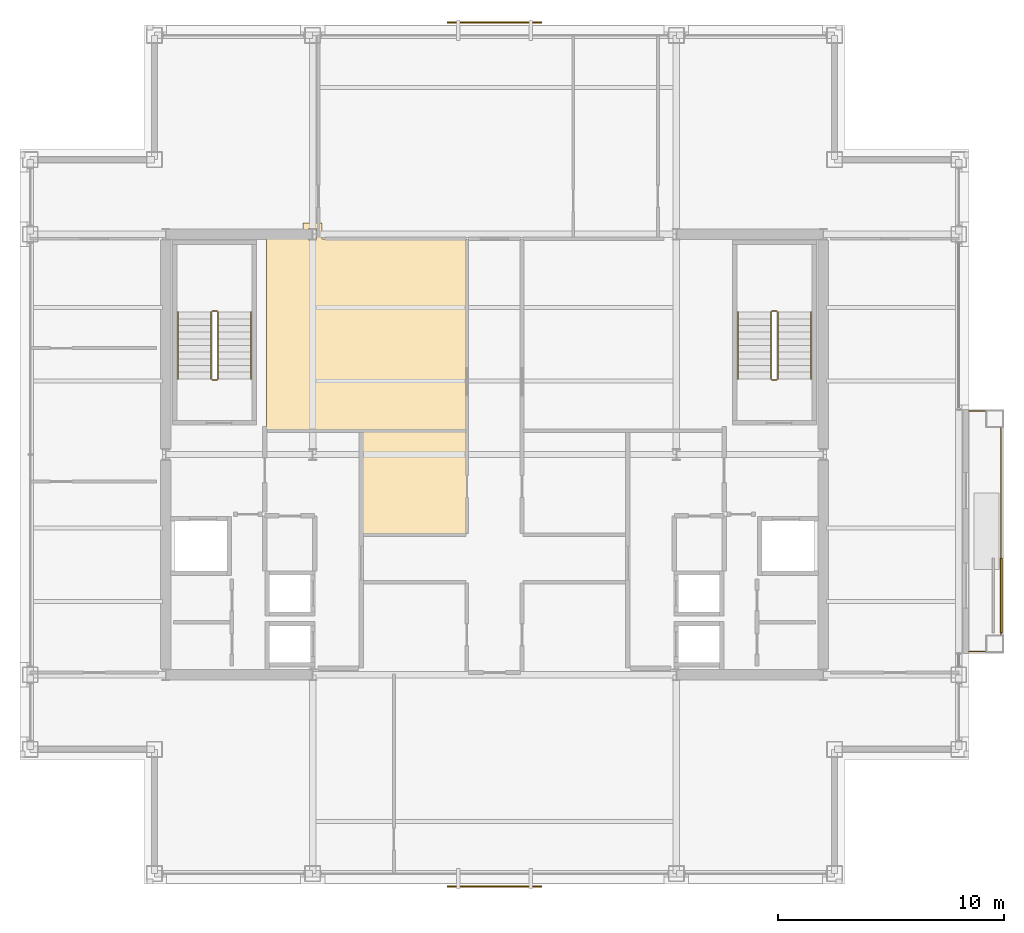
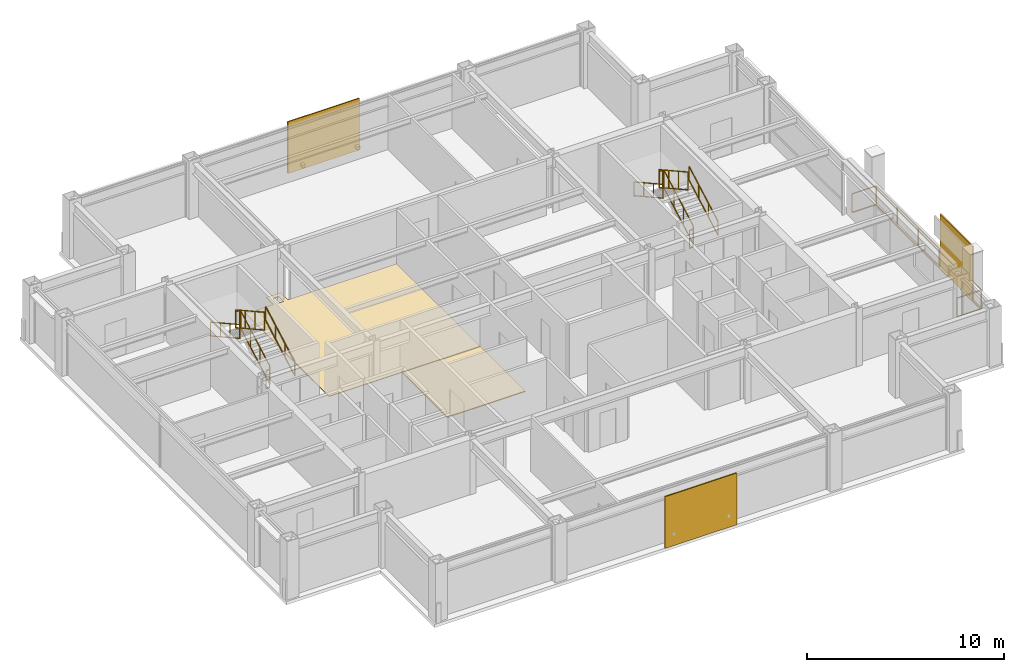
# One storey, part 29 of 30: 13 railings, 3 shading devices, 2 coverings.
"""IFC4 building model written with IfcOpenShell, lengths in metres."""

from ifc_helpers import new_model, si_unit, direction, frame, origin, origin_2d, place, context, subcontext, project, spatial, polyline, rectangle, outline, extrude, material, layer, layer_set, type_object, element, save


model = new_model("IFC4")

# Units and contexts
model_context = context("Model", 3, precision=1e-05, world=origin(), true_north=direction((0.0, 1.0)))
body_context = subcontext(model_context, "Body", "Model", "MODEL_VIEW")
ifc_project = project(units=[si_unit("LENGTHUNIT", "METRE"), si_unit("AREAUNIT", "SQUARE_METRE"), si_unit("VOLUMEUNIT", "CUBIC_METRE"), si_unit("PLANEANGLEUNIT", "RADIAN"), si_unit("MASSUNIT", "GRAM", prefix="KILO")], contexts=[model_context])

# Site, building, storey
site_placement = place(None, origin())
site = spatial("IfcSite", under=ifc_project, at=site_placement, CompositionType="ELEMENT")
building_placement = place(site_placement, origin())
building = spatial("IfcBuilding", under=site, at=building_placement, Name="Brelmoor Portico Tower", CompositionType="ELEMENT")
storey_placement = place(building_placement, frame((0.0, 0.0, 187.5)))
storey = spatial("IfcBuildingStorey", under=building, at=storey_placement, Name="L49", CompositionType="ELEMENT", Elevation=187.5)

# Coverings
ifc_material_1 = material(Name="Calcium-Sulphate Raised Access Floor Panel", Category="steel")
ifc_layer_1 = layer(ifc_material_1, 0.06005859375)
ifc_layer_set_1 = layer_set([ifc_layer_1], Name="Calcium-Sulphate Raised Access Floor Panel")
covering_type_1 = type_object("IfcCoveringType", Name="CV-FLR-ACCESS-60", PredefinedType="FLOORING", material=ifc_layer_set_1)
covering_1_placement = place(storey_placement, origin())
element("IfcCovering", 1, at=covering_1_placement, inside=storey, type_object=covering_type_1, Name="L49 Architectural Floor Finish 02", PredefinedType="FLOORING", context=body_context, shape_type="SweptSolid", body=[
    extrude(outline(polyline([(-5.820068359375, -3.510009765625), (-5.820068359375, 1.0400390625), (-1.239990234375, 1.0400390625), (-1.239990234375, -3.510009765625), (-5.820068359375, -3.510009765625)])), origin(), (0.0, 0.0, 1.0), 0.06005859375),
])
ifc_material_2 = material(Name="Honed Pearl-Grey Granite Paver Finish", Category="masonry")
ifc_layer_2 = layer(ifc_material_2, 0.0380859375)
ifc_layer_set_2 = layer_set([ifc_layer_2], Name="Honed Pearl-Grey Granite Paver Finish")
covering_type_2 = type_object("IfcCoveringType", Name="CV-FLR-GRANITE-38", PredefinedType="FLOORING", material=ifc_layer_set_2)
covering_2_placement = place(storey_placement, origin())
element("IfcCovering", 2, at=covering_2_placement, inside=storey, type_object=covering_type_2, Name="L49 Architectural Floor Finish 01", PredefinedType="FLOORING", context=body_context, shape_type="SweptSolid", body=[
    extrude(outline(polyline([(-10.080078125, 9.530029296875), (-8.47509765625, 9.530029296875), (-8.47509765625, 10.25), (-7.625, 10.25), (-7.625, 9.530029296875), (-1.239990234375, 9.530029296875), (-1.239990234375, 1.090087890625), (-10.080078125, 1.090087890625), (-10.080078125, 9.530029296875)]), holes=[polyline([(-7.875, 9.5), (-7.875, 10.0), (-8.22509765625, 10.0), (-8.22509765625, 9.5), (-7.875, 9.5)])]), origin(), (0.0, 0.0, 1.0), 0.0380859375),
])

# Railings
ifc_material_3 = material(Name="Perforated Pale Champagne Aluminium Fretwork Guard", Category="aluminium")
railing_type_1 = type_object("IfcRailingType", Name="RL-BALUSTRADE-1200", PredefinedType="BALUSTRADE", material=ifc_material_3)
railing_1_placement = place(storey_placement, frame((21.0, -8.719970703125, 0.0)))
element("IfcRailing", 3, at=railing_1_placement, inside=storey, type_object=railing_type_1, Name="L49 Tree Balcony Fretwork Balustrade E", PredefinedType="BALUSTRADE", context=body_context, shape_type="SweptSolid", body=[
    extrude(rectangle(XDim=0.048095703125, YDim=0.048095703125, at=origin_2d()), frame((0.0, 0.0, 1.17578125), z_axis=(1.0, 0.0, 0.0), x_axis=(0.0, 1.0, 0.0)), (0.0, 0.0, 1.0), 1.429931640625),
    extrude(rectangle(XDim=0.048095703125, YDim=0.048095703125, at=origin_2d()), frame((0.0, 0.0, 0.02392578125), z_axis=(1.0, 0.0, 0.0), x_axis=(0.0, 1.0, 0.0)), (0.0, 0.0, 1.0), 1.429931640625),
    extrude(rectangle(XDim=0.048095703125, YDim=0.048095703125, at=origin_2d()), frame((1.429931640625, 0.0, 1.17578125), z_axis=(0.0, 1.0, 0.0), x_axis=(-1.0, 0.0, 0.0)), (0.0, 0.0, 1.0), 10.639892578125),
    extrude(rectangle(XDim=0.048095703125, YDim=0.048095703125, at=origin_2d()), frame((1.429931640625, 0.0, 0.02392578125), z_axis=(0.0, 1.0, 0.0), x_axis=(-1.0, 0.0, 0.0)), (0.0, 0.0, 1.0), 10.639892578125),
    extrude(rectangle(XDim=0.048095703125, YDim=0.048095703125, at=origin_2d()), frame((1.429931640625, 10.639892578125, 1.17578125), z_axis=(-1.0, 0.0, 0.0), x_axis=(0.0, -1.0, 0.0)), (0.0, 0.0, 1.0), 1.429931640625),
    extrude(rectangle(XDim=0.048095703125, YDim=0.048095703125, at=origin_2d()), frame((1.429931640625, 10.639892578125, 0.02392578125), z_axis=(-1.0, 0.0, 0.0), x_axis=(0.0, -1.0, 0.0)), (0.0, 0.0, 1.0), 1.429931640625),
    extrude(rectangle(XDim=0.0419921875, YDim=0.0419921875, at=origin_2d()), origin(), (0.0, 0.0, 1.0), 1.15185546875),
    extrude(rectangle(XDim=0.0419921875, YDim=0.0419921875, at=origin_2d()), frame((1.429931640625, 0.0, 0.0)), (0.0, 0.0, 1.0), 1.15185546875),
    extrude(rectangle(XDim=0.0419921875, YDim=0.0419921875, at=origin_2d()), frame((1.429931640625, 2.1279296875, 0.0)), (0.0, 0.0, 1.0), 1.15185546875),
    extrude(rectangle(XDim=0.0419921875, YDim=0.0419921875, at=origin_2d()), frame((1.429931640625, 4.255859375, 0.0)), (0.0, 0.0, 1.0), 1.15185546875),
    extrude(rectangle(XDim=0.0419921875, YDim=0.0419921875, at=origin_2d()), frame((1.429931640625, 6.384033203125, 0.0)), (0.0, 0.0, 1.0), 1.15185546875),
    extrude(rectangle(XDim=0.0419921875, YDim=0.0419921875, at=origin_2d()), frame((1.429931640625, 8.511962890625, 0.0)), (0.0, 0.0, 1.0), 1.15185546875),
    extrude(rectangle(XDim=0.0419921875, YDim=0.0419921875, at=origin_2d()), frame((1.429931640625, 10.639892578125, 0.0)), (0.0, 0.0, 1.0), 1.15185546875),
    extrude(rectangle(XDim=0.0419921875, YDim=0.0419921875, at=origin_2d()), frame((0.0, 10.639892578125, 0.0)), (0.0, 0.0, 1.0), 1.15185546875),
])
ifc_material_4 = material(Name="Painted Tubular Steel Q235B", Category="steel")
railing_type_2 = type_object("IfcRailingType", Name="RL-STAIR-GUARD", PredefinedType="GUARDRAIL", material=ifc_material_4)
railing_2_placement = place(storey_placement, frame((-12.239990234375, 3.35009765625, 0.16357421875)))
element("IfcRailing", 4, at=railing_2_placement, inside=storey, type_object=railing_type_2, Name="L49 ST-W stair guard 1", PredefinedType="GUARDRAIL", context=body_context, shape_type="SweptSolid", body=[
    extrude(rectangle(XDim=0.048095703125, YDim=0.048095703125, at=origin_2d()), frame((0.0, 0.0, 1.1259765625), z_axis=(0.0, 0.874457516365, 0.485102104791), x_axis=(-1.0, 0.0, 0.0)), (0.0, 0.0, 1.0), 3.37353515625),
    extrude(rectangle(XDim=0.048095703125, YDim=0.048095703125, at=origin_2d()), frame((0.0, 0.0, 0.02392578125), z_axis=(0.0, 0.874457516365, 0.485102104791), x_axis=(-1.0, 0.0, 0.0)), (0.0, 0.0, 1.0), 3.37353515625),
    extrude(rectangle(XDim=0.0419921875, YDim=0.0419921875, at=origin_2d()), origin(), (0.0, 0.0, 1.0), 1.101806640625),
    extrude(rectangle(XDim=0.0419921875, YDim=0.0419921875, at=origin_2d()), frame((0.0, 0.9833984375, 0.54541015625)), (0.0, 0.0, 1.0), 1.101806640625),
    extrude(rectangle(XDim=0.0419921875, YDim=0.0419921875, at=origin_2d()), frame((0.0, 1.966552734375, 1.091064453125)), (0.0, 0.0, 1.0), 1.101806640625),
    extrude(rectangle(XDim=0.0419921875, YDim=0.0419921875, at=origin_2d()), frame((0.0, 2.949951171875, 1.636474609375)), (0.0, 0.0, 1.0), 1.101806640625),
])
railing_3_placement = place(storey_placement, frame((-12.2900390625, 6.35009765625, 1.800048828125)))
element("IfcRailing", 5, at=railing_3_placement, inside=storey, type_object=railing_type_2, Name="L49 ST-W stair guard 2", PredefinedType="GUARDRAIL", context=body_context, shape_type="SweptSolid", body=[
    extrude(rectangle(XDim=0.048095703125, YDim=0.048095703125, at=origin_2d()), frame((0.0, 0.0, 1.1259765625), z_axis=(-1.0, 0.0, 0.0), x_axis=(0.0, -1.0, 0.0)), (0.0, 0.0, 1.0), 0.199951171875),
    extrude(rectangle(XDim=0.048095703125, YDim=0.048095703125, at=origin_2d()), frame((0.0, 0.0, 0.02392578125), z_axis=(-1.0, 0.0, 0.0), x_axis=(0.0, -1.0, 0.0)), (0.0, 0.0, 1.0), 0.199951171875),
    extrude(rectangle(XDim=0.0419921875, YDim=0.0419921875, at=origin_2d()), origin(), (0.0, 0.0, 1.0), 1.101806640625),
    extrude(rectangle(XDim=0.0419921875, YDim=0.0419921875, at=origin_2d()), frame((-0.199951171875, 0.0, 0.0)), (0.0, 0.0, 1.0), 1.101806640625),
])
railing_4_placement = place(storey_placement, frame((-12.5400390625, 6.300048828125, 1.963623046875)))
element("IfcRailing", 6, at=railing_4_placement, inside=storey, type_object=railing_type_2, Name="L49 ST-W stair guard 3", PredefinedType="GUARDRAIL", context=body_context, shape_type="SweptSolid", body=[
    extrude(rectangle(XDim=0.048095703125, YDim=0.048095703125, at=origin_2d()), frame((0.0, 0.0, 1.1259765625), z_axis=(0.0, -0.874457516365, 0.485102104791), x_axis=(1.0, 0.0, 0.0)), (0.0, 0.0, 1.0), 3.37353515625),
    extrude(rectangle(XDim=0.048095703125, YDim=0.048095703125, at=origin_2d()), frame((0.0, 0.0, 0.02392578125), z_axis=(0.0, -0.874457516365, 0.485102104791), x_axis=(1.0, 0.0, 0.0)), (0.0, 0.0, 1.0), 3.37353515625),
    extrude(rectangle(XDim=0.0419921875, YDim=0.0419921875, at=origin_2d()), origin(), (0.0, 0.0, 1.0), 1.101806640625),
    extrude(rectangle(XDim=0.0419921875, YDim=0.0419921875, at=origin_2d()), frame((0.0, -0.9833984375, 0.54541015625)), (0.0, 0.0, 1.0), 1.101806640625),
    extrude(rectangle(XDim=0.0419921875, YDim=0.0419921875, at=origin_2d()), frame((0.0, -1.966552734375, 1.091064453125)), (0.0, 0.0, 1.0), 1.101806640625),
    extrude(rectangle(XDim=0.0419921875, YDim=0.0419921875, at=origin_2d()), frame((0.0, -2.949951171875, 1.636474609375)), (0.0, 0.0, 1.0), 1.101806640625),
])
railing_5_placement = place(storey_placement, frame((-12.2900390625, 3.300048828125, 0.0)))
element("IfcRailing", 7, at=railing_5_placement, inside=storey, type_object=railing_type_2, Name="L49 ST-W stair guard 4", PredefinedType="GUARDRAIL", context=body_context, shape_type="SweptSolid", body=[
    extrude(rectangle(XDim=0.048095703125, YDim=0.048095703125, at=origin_2d()), frame((0.0, 0.0, 1.1259765625), z_axis=(-1.0, 0.0, 0.0), x_axis=(0.0, -1.0, 0.0)), (0.0, 0.0, 1.0), 0.199951171875),
    extrude(rectangle(XDim=0.048095703125, YDim=0.048095703125, at=origin_2d()), frame((0.0, 0.0, 0.02392578125), z_axis=(-1.0, 0.0, 0.0), x_axis=(0.0, -1.0, 0.0)), (0.0, 0.0, 1.0), 0.199951171875),
    extrude(rectangle(XDim=0.0419921875, YDim=0.0419921875, at=origin_2d()), origin(), (0.0, 0.0, 1.0), 1.101806640625),
    extrude(rectangle(XDim=0.0419921875, YDim=0.0419921875, at=origin_2d()), frame((-0.199951171875, 0.0, 0.0)), (0.0, 0.0, 1.0), 1.101806640625),
])
railing_6_placement = place(storey_placement, frame((12.5400390625, 3.35009765625, 0.16357421875)))
element("IfcRailing", 8, at=railing_6_placement, inside=storey, type_object=railing_type_2, Name="L49 ST-E stair guard 1", PredefinedType="GUARDRAIL", context=body_context, shape_type="SweptSolid", body=[
    extrude(rectangle(XDim=0.048095703125, YDim=0.048095703125, at=origin_2d()), frame((0.0, 0.0, 1.1259765625), z_axis=(0.0, 0.874457516365, 0.485102104791), x_axis=(-1.0, 0.0, 0.0)), (0.0, 0.0, 1.0), 3.37353515625),
    extrude(rectangle(XDim=0.048095703125, YDim=0.048095703125, at=origin_2d()), frame((0.0, 0.0, 0.02392578125), z_axis=(0.0, 0.874457516365, 0.485102104791), x_axis=(-1.0, 0.0, 0.0)), (0.0, 0.0, 1.0), 3.37353515625),
    extrude(rectangle(XDim=0.0419921875, YDim=0.0419921875, at=origin_2d()), origin(), (0.0, 0.0, 1.0), 1.101806640625),
    extrude(rectangle(XDim=0.0419921875, YDim=0.0419921875, at=origin_2d()), frame((0.0, 0.9833984375, 0.54541015625)), (0.0, 0.0, 1.0), 1.101806640625),
    extrude(rectangle(XDim=0.0419921875, YDim=0.0419921875, at=origin_2d()), frame((0.0, 1.966552734375, 1.091064453125)), (0.0, 0.0, 1.0), 1.101806640625),
    extrude(rectangle(XDim=0.0419921875, YDim=0.0419921875, at=origin_2d()), frame((0.0, 2.949951171875, 1.636474609375)), (0.0, 0.0, 1.0), 1.101806640625),
])
railing_7_placement = place(storey_placement, frame((12.489990234375, 6.35009765625, 1.800048828125)))
element("IfcRailing", 9, at=railing_7_placement, inside=storey, type_object=railing_type_2, Name="L49 ST-E stair guard 2", PredefinedType="GUARDRAIL", context=body_context, shape_type="SweptSolid", body=[
    extrude(rectangle(XDim=0.048095703125, YDim=0.048095703125, at=origin_2d()), frame((0.0, 0.0, 1.1259765625), z_axis=(-1.0, 0.0, 0.0), x_axis=(0.0, -1.0, 0.0)), (0.0, 0.0, 1.0), 0.199951171875),
    extrude(rectangle(XDim=0.048095703125, YDim=0.048095703125, at=origin_2d()), frame((0.0, 0.0, 0.02392578125), z_axis=(-1.0, 0.0, 0.0), x_axis=(0.0, -1.0, 0.0)), (0.0, 0.0, 1.0), 0.199951171875),
    extrude(rectangle(XDim=0.0419921875, YDim=0.0419921875, at=origin_2d()), origin(), (0.0, 0.0, 1.0), 1.101806640625),
    extrude(rectangle(XDim=0.0419921875, YDim=0.0419921875, at=origin_2d()), frame((-0.199951171875, 0.0, 0.0)), (0.0, 0.0, 1.0), 1.101806640625),
])
railing_8_placement = place(storey_placement, frame((12.239990234375, 6.300048828125, 1.963623046875)))
element("IfcRailing", 10, at=railing_8_placement, inside=storey, type_object=railing_type_2, Name="L49 ST-E stair guard 3", PredefinedType="GUARDRAIL", context=body_context, shape_type="SweptSolid", body=[
    extrude(rectangle(XDim=0.048095703125, YDim=0.048095703125, at=origin_2d()), frame((0.0, 0.0, 1.1259765625), z_axis=(0.0, -0.874457516365, 0.485102104791), x_axis=(1.0, 0.0, 0.0)), (0.0, 0.0, 1.0), 3.37353515625),
    extrude(rectangle(XDim=0.048095703125, YDim=0.048095703125, at=origin_2d()), frame((0.0, 0.0, 0.02392578125), z_axis=(0.0, -0.874457516365, 0.485102104791), x_axis=(1.0, 0.0, 0.0)), (0.0, 0.0, 1.0), 3.37353515625),
    extrude(rectangle(XDim=0.0419921875, YDim=0.0419921875, at=origin_2d()), origin(), (0.0, 0.0, 1.0), 1.101806640625),
    extrude(rectangle(XDim=0.0419921875, YDim=0.0419921875, at=origin_2d()), frame((0.0, -0.9833984375, 0.54541015625)), (0.0, 0.0, 1.0), 1.101806640625),
    extrude(rectangle(XDim=0.0419921875, YDim=0.0419921875, at=origin_2d()), frame((0.0, -1.966552734375, 1.091064453125)), (0.0, 0.0, 1.0), 1.101806640625),
    extrude(rectangle(XDim=0.0419921875, YDim=0.0419921875, at=origin_2d()), frame((0.0, -2.949951171875, 1.636474609375)), (0.0, 0.0, 1.0), 1.101806640625),
])
railing_9_placement = place(storey_placement, frame((12.489990234375, 3.300048828125, 0.0)))
element("IfcRailing", 11, at=railing_9_placement, inside=storey, type_object=railing_type_2, Name="L49 ST-E stair guard 4", PredefinedType="GUARDRAIL", context=body_context, shape_type="SweptSolid", body=[
    extrude(rectangle(XDim=0.048095703125, YDim=0.048095703125, at=origin_2d()), frame((0.0, 0.0, 1.1259765625), z_axis=(-1.0, 0.0, 0.0), x_axis=(0.0, -1.0, 0.0)), (0.0, 0.0, 1.0), 0.199951171875),
    extrude(rectangle(XDim=0.048095703125, YDim=0.048095703125, at=origin_2d()), frame((0.0, 0.0, 0.02392578125), z_axis=(-1.0, 0.0, 0.0), x_axis=(0.0, -1.0, 0.0)), (0.0, 0.0, 1.0), 0.199951171875),
    extrude(rectangle(XDim=0.0419921875, YDim=0.0419921875, at=origin_2d()), origin(), (0.0, 0.0, 1.0), 1.101806640625),
    extrude(rectangle(XDim=0.0419921875, YDim=0.0419921875, at=origin_2d()), frame((-0.199951171875, 0.0, 0.0)), (0.0, 0.0, 1.0), 1.101806640625),
])
ifc_material_5 = material(Name="Brushed Stainless Steel 304", Category="steel")
railing_type_3 = type_object("IfcRailingType", Name="RL-STAIR-HANDRAIL", PredefinedType="HANDRAIL", material=ifc_material_5)
railing_10_placement = place(storey_placement, frame((-10.780029296875, 3.35009765625, 0.16357421875)))
element("IfcRailing", 12, at=railing_10_placement, inside=storey, type_object=railing_type_3, Name="L49 ST-W stair handrail 1", PredefinedType="HANDRAIL", context=body_context, shape_type="SweptSolid", body=[
    extrude(rectangle(XDim=0.048095703125, YDim=0.048095703125, at=origin_2d()), frame((0.0, 0.0, 0.8759765625), z_axis=(0.0, 0.874457516365, 0.485102104791), x_axis=(-1.0, 0.0, 0.0)), (0.0, 0.0, 1.0), 3.37353515625),
    extrude(rectangle(XDim=0.048095703125, YDim=0.048095703125, at=origin_2d()), frame((0.0, 0.0, 0.02392578125), z_axis=(0.0, 0.874457516365, 0.485102104791), x_axis=(-1.0, 0.0, 0.0)), (0.0, 0.0, 1.0), 3.37353515625),
    extrude(rectangle(XDim=0.0419921875, YDim=0.0419921875, at=origin_2d()), origin(), (0.0, 0.0, 1.0), 0.851806640625),
    extrude(rectangle(XDim=0.0419921875, YDim=0.0419921875, at=origin_2d()), frame((0.0, 0.9833984375, 0.54541015625)), (0.0, 0.0, 1.0), 0.851806640625),
    extrude(rectangle(XDim=0.0419921875, YDim=0.0419921875, at=origin_2d()), frame((0.0, 1.966552734375, 1.091064453125)), (0.0, 0.0, 1.0), 0.851806640625),
    extrude(rectangle(XDim=0.0419921875, YDim=0.0419921875, at=origin_2d()), frame((0.0, 2.949951171875, 1.636474609375)), (0.0, 0.0, 1.0), 0.851806640625),
])
railing_11_placement = place(storey_placement, frame((-14.0, 6.300048828125, 1.963623046875)))
element("IfcRailing", 13, at=railing_11_placement, inside=storey, type_object=railing_type_3, Name="L49 ST-W stair handrail 2", PredefinedType="HANDRAIL", context=body_context, shape_type="SweptSolid", body=[
    extrude(rectangle(XDim=0.048095703125, YDim=0.048095703125, at=origin_2d()), frame((0.0, 0.0, 0.8759765625), z_axis=(0.0, -0.874457516365, 0.485102104791), x_axis=(1.0, 0.0, 0.0)), (0.0, 0.0, 1.0), 3.37353515625),
    extrude(rectangle(XDim=0.048095703125, YDim=0.048095703125, at=origin_2d()), frame((0.0, 0.0, 0.02392578125), z_axis=(0.0, -0.874457516365, 0.485102104791), x_axis=(1.0, 0.0, 0.0)), (0.0, 0.0, 1.0), 3.37353515625),
    extrude(rectangle(XDim=0.0419921875, YDim=0.0419921875, at=origin_2d()), origin(), (0.0, 0.0, 1.0), 0.851806640625),
    extrude(rectangle(XDim=0.0419921875, YDim=0.0419921875, at=origin_2d()), frame((0.0, -0.9833984375, 0.54541015625)), (0.0, 0.0, 1.0), 0.851806640625),
    extrude(rectangle(XDim=0.0419921875, YDim=0.0419921875, at=origin_2d()), frame((0.0, -1.966552734375, 1.091064453125)), (0.0, 0.0, 1.0), 0.851806640625),
    extrude(rectangle(XDim=0.0419921875, YDim=0.0419921875, at=origin_2d()), frame((0.0, -2.949951171875, 1.636474609375)), (0.0, 0.0, 1.0), 0.851806640625),
])
railing_12_placement = place(storey_placement, frame((14.0, 3.35009765625, 0.16357421875)))
element("IfcRailing", 14, at=railing_12_placement, inside=storey, type_object=railing_type_3, Name="L49 ST-E stair handrail 1", PredefinedType="HANDRAIL", context=body_context, shape_type="SweptSolid", body=[
    extrude(rectangle(XDim=0.048095703125, YDim=0.048095703125, at=origin_2d()), frame((0.0, 0.0, 0.8759765625), z_axis=(0.0, 0.874457516365, 0.485102104791), x_axis=(-1.0, 0.0, 0.0)), (0.0, 0.0, 1.0), 3.37353515625),
    extrude(rectangle(XDim=0.048095703125, YDim=0.048095703125, at=origin_2d()), frame((0.0, 0.0, 0.02392578125), z_axis=(0.0, 0.874457516365, 0.485102104791), x_axis=(-1.0, 0.0, 0.0)), (0.0, 0.0, 1.0), 3.37353515625),
    extrude(rectangle(XDim=0.0419921875, YDim=0.0419921875, at=origin_2d()), origin(), (0.0, 0.0, 1.0), 0.851806640625),
    extrude(rectangle(XDim=0.0419921875, YDim=0.0419921875, at=origin_2d()), frame((0.0, 0.9833984375, 0.54541015625)), (0.0, 0.0, 1.0), 0.851806640625),
    extrude(rectangle(XDim=0.0419921875, YDim=0.0419921875, at=origin_2d()), frame((0.0, 1.966552734375, 1.091064453125)), (0.0, 0.0, 1.0), 0.851806640625),
    extrude(rectangle(XDim=0.0419921875, YDim=0.0419921875, at=origin_2d()), frame((0.0, 2.949951171875, 1.636474609375)), (0.0, 0.0, 1.0), 0.851806640625),
])
railing_13_placement = place(storey_placement, frame((10.780029296875, 6.300048828125, 1.963623046875)))
element("IfcRailing", 15, at=railing_13_placement, inside=storey, type_object=railing_type_3, Name="L49 ST-E stair handrail 2", PredefinedType="HANDRAIL", context=body_context, shape_type="SweptSolid", body=[
    extrude(rectangle(XDim=0.048095703125, YDim=0.048095703125, at=origin_2d()), frame((0.0, 0.0, 0.8759765625), z_axis=(0.0, -0.874457516365, 0.485102104791), x_axis=(1.0, 0.0, 0.0)), (0.0, 0.0, 1.0), 3.37353515625),
    extrude(rectangle(XDim=0.048095703125, YDim=0.048095703125, at=origin_2d()), frame((0.0, 0.0, 0.02392578125), z_axis=(0.0, -0.874457516365, 0.485102104791), x_axis=(1.0, 0.0, 0.0)), (0.0, 0.0, 1.0), 3.37353515625),
    extrude(rectangle(XDim=0.0419921875, YDim=0.0419921875, at=origin_2d()), origin(), (0.0, 0.0, 1.0), 0.851806640625),
    extrude(rectangle(XDim=0.0419921875, YDim=0.0419921875, at=origin_2d()), frame((0.0, -0.9833984375, 0.54541015625)), (0.0, 0.0, 1.0), 0.851806640625),
    extrude(rectangle(XDim=0.0419921875, YDim=0.0419921875, at=origin_2d()), frame((0.0, -1.966552734375, 1.091064453125)), (0.0, 0.0, 1.0), 0.851806640625),
    extrude(rectangle(XDim=0.0419921875, YDim=0.0419921875, at=origin_2d()), frame((0.0, -2.949951171875, 1.636474609375)), (0.0, 0.0, 1.0), 0.851806640625),
])

# Shading devices
ifc_material_6 = material(Name="Powder-Coated Aluminium Shuttered Jalousie", Category="aluminium")
ifc_layer_3 = layer(ifc_material_6, 0.080078125)
ifc_layer_set_3 = layer_set([ifc_layer_3], Name="Powder-Coated Aluminium Shuttered Jalousie")
shading_device_type_1 = type_object("IfcShadingDeviceType", Name="SD-JALOUSIE-LOGGIA", PredefinedType="JALOUSIE", material=ifc_layer_set_3)
shading_device_placement = place(storey_placement, frame((22.429931640625, -6.25, 0.0), z_axis=(0.0, 0.0, 1.0), x_axis=(0.0, 1.0, 0.0)))
element("IfcShadingDevice", 16, at=shading_device_placement, inside=storey, type_object=shading_device_type_1, Name="L49 Loggia Shuttered Jalousie E", PredefinedType="JALOUSIE", context=body_context, shape_type="SweptSolid", body=[
    extrude(rectangle(XDim=3.300048828125, YDim=0.080078125, at=origin_2d()), origin(), (0.0, 0.0, 1.0), 3.39990234375),
])
ifc_material_7 = material(Name="Perforated Pale Champagne Aluminium Solar Screen", Category="aluminium")
ifc_layer_4 = layer(ifc_material_7, 0.06494140625)
ifc_layer_set_4 = layer_set([ifc_layer_4], Name="Perforated Pale Champagne Aluminium Solar Screen")
shading_device_type_2 = type_object("IfcShadingDeviceType", Name="SD-SOLAR-SCREEN", PredefinedType="USERDEFINED", material=ifc_layer_set_4)
for number, where, z_axis, x_axis, name in (
    (17, (0.0, -19.1201171875, 0.10009765625), (0.0, 0.0, 1.0), (1.0, 0.0, 0.0), "L49 Perforated Solar Screen S1"),
    (18, (0.0, 19.1201171875, 0.10009765625), (0.0, 0.0, 1.0), (1.0, 0.0, 0.0), "L49 Perforated Solar Screen N1"),
):
    element("IfcShadingDevice", number, at=place(storey_placement, frame(where, z_axis=z_axis, x_axis=x_axis)), inside=storey, type_object=shading_device_type_2, Name=name, ObjectType="SCREEN", PredefinedType="USERDEFINED", context=body_context, shape_type="SweptSolid", body=[
        extrude(rectangle(XDim=4.199951171875, YDim=0.06494140625, at=origin_2d()), origin(), (0.0, 0.0, 1.0), 3.199951171875),
    ])

save(model, "model.ifc")
